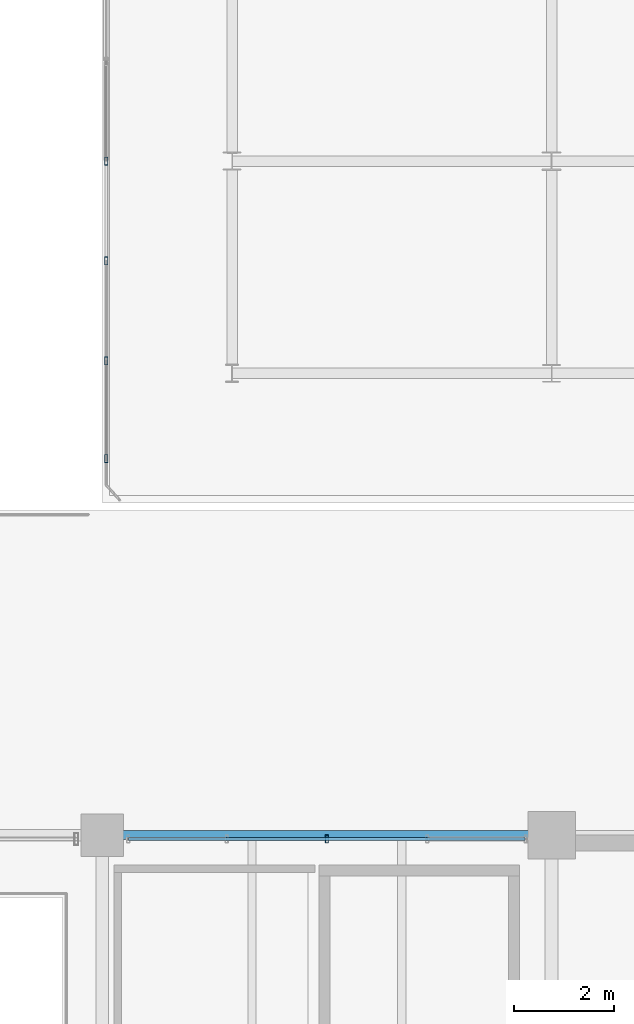
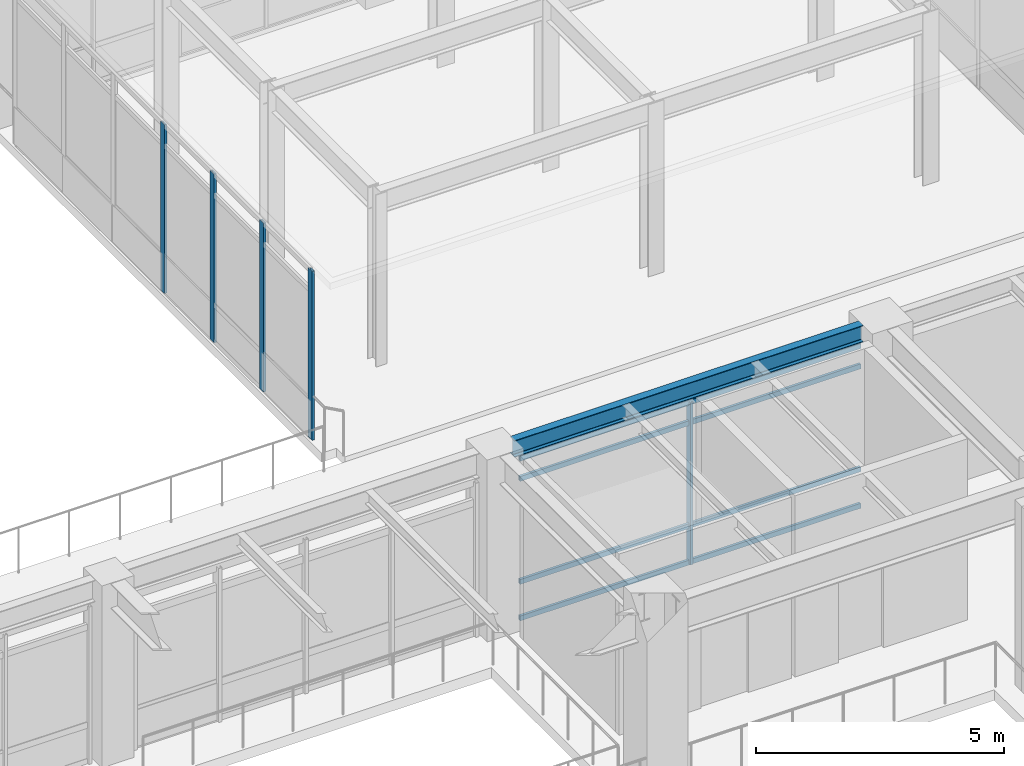
# One storey, part 82 of 200: 9 members, 1 beam, 2 elements without a shape of their own.
"""IFC4 building model written with IfcOpenShell, lengths in metres."""

import ifcopenshell
import ifcopenshell.guid

model = None  # the IFC model being written
_history = None  # IfcOwnerHistory: only IFC2X3 demands one
_inside = {}  # id of a spatial element -> (the spatial element, [elements in it])
_under = {}  # id of a project, library or spatial element -> (it, [spatial elements below it])
_declared = {}  # id of a project -> (the project, [libraries it declares])
_typed = {}  # id of a type object -> (the type object, [elements of that type])
_made_of = {}  # id of a material, layer set ... -> (it, [elements and type objects made of it])


def new_model(schema):
    """Start an empty IFC model of exactly this schema.

    Asked for "IFC4X3", IfcOpenShell would pick the latest addendum, in which some entities
    have other attributes; the version numbers below select the first issue.
    IFC2X3 requires an IfcOwnerHistory on every rooted entity: one is made here for all.
    """
    global model, _history
    if schema == "IFC4X3":
        model = ifcopenshell.file(schema_version=(4, 3, 0, 0))
    else:
        model = ifcopenshell.file(schema=schema)
    _inside.clear()
    _under.clear()
    _declared.clear()
    _typed.clear()
    _made_of.clear()
    _history = None
    if model.schema == "IFC2X3":
        org = make("IfcOrganization", Name="unknown")
        user = make(
            "IfcPersonAndOrganization",
            ThePerson=make("IfcPerson", FamilyName="unknown"),
            TheOrganization=org,
        )
        app = make(
            "IfcApplication",
            ApplicationDeveloper=org,
            Version="unknown",
            ApplicationFullName="unknown",
            ApplicationIdentifier="unknown",
        )
        _history = make(
            "IfcOwnerHistory",
            OwningUser=user,
            OwningApplication=app,
            ChangeAction="ADDED",
            CreationDate=0,
        )
    return model


def make(cls, **values):
    """One entity of the class cls with the attributes given. An attribute that is None is left unset."""
    return model.create_entity(
        cls, **{name: value for name, value in values.items() if value is not None}
    )


def rooted(cls, **values):
    """An entity with a GlobalId (a new one), such as an element, a storey or a relation."""
    return make(cls, GlobalId=ifcopenshell.guid.new(), OwnerHistory=_history, **values)


def si_unit(unit_type, name, prefix=None):
    """IfcSIUnit, for example si_unit("LENGTHUNIT", "METRE", prefix="MILLI")."""
    return make("IfcSIUnit", UnitType=unit_type, Prefix=prefix, Name=name)


def assignment(units):
    """IfcUnitAssignment: the units of a project."""
    return None if units is None else make("IfcUnitAssignment", Units=units)


def point(xyz):
    """IfcCartesianPoint."""
    return None if xyz is None else make("IfcCartesianPoint", Coordinates=xyz)


def direction(xyz):
    """IfcDirection."""
    return None if xyz is None else make("IfcDirection", DirectionRatios=xyz)


def frame(location, z_axis=None, x_axis=None):
    """IfcAxis2Placement3D, a coordinate frame: its origin and axes. An axis left out is left unset."""
    return make(
        "IfcAxis2Placement3D",
        Location=point(location),
        Axis=direction(z_axis),
        RefDirection=direction(x_axis),
    )


def frame_2d(location, x_axis=None):
    """IfcAxis2Placement2D, a coordinate frame in the plane: its origin and x axis."""
    return make(
        "IfcAxis2Placement2D", Location=point(location), RefDirection=direction(x_axis)
    )


def origin():
    """The frame at (0, 0, 0) with its axes left unset."""
    return frame((0.0, 0.0, 0.0))


def origin_2d():
    """The frame at (0, 0) in the plane with its x axis left unset."""
    return frame_2d((0.0, 0.0))


def place(relative_to, where):
    """IfcLocalPlacement: puts the frame where relative to a parent placement (None: the world)."""
    return make(
        "IfcLocalPlacement", PlacementRelTo=relative_to, RelativePlacement=where
    )


def context(
    kind, dimensions, precision=None, world=None, true_north=None, identifier=None
):
    """IfcGeometricRepresentationContext, for example the 3D "Model" context."""
    return make(
        "IfcGeometricRepresentationContext",
        ContextIdentifier=identifier,
        ContextType=kind,
        CoordinateSpaceDimension=dimensions,
        Precision=precision,
        WorldCoordinateSystem=world,
        TrueNorth=true_north,
    )


def subcontext(parent, identifier, kind, view, scale=None):
    """IfcGeometricRepresentationSubContext, for example "Body" below "Model"."""
    return make(
        "IfcGeometricRepresentationSubContext",
        ContextIdentifier=identifier,
        ContextType=kind,
        ParentContext=parent,
        TargetScale=scale,
        TargetView=view,
    )


def project(units=None, contexts=None):
    """IfcProject with its units and contexts."""
    return rooted(
        "IfcProject",
        Name="project",
        RepresentationContexts=contexts,
        UnitsInContext=assignment(units),
    )


def spatial(cls, under=None, at=None, **own):
    """A site, building, storey or space (cls), placed at a placement, below another one or the project."""
    s = rooted(cls, ObjectPlacement=at, **own)
    if under is not None:
        _under.setdefault(under.id(), (under, []))[1].append(s)
    return s


def profile(cls, at=None, kind="AREA", **sizes):
    """A parametric profile (cls). Its sizes go by their IFC names, for example OverallWidth=200.0."""
    return make(cls, ProfileType=kind, Position=at, **sizes)


def hollow_rectangle(**sizes):
    """IfcRectangleHollowProfileDef."""
    return profile("IfcRectangleHollowProfileDef", **sizes)


def i_section(**sizes):
    """IfcIShapeProfileDef."""
    return profile("IfcIShapeProfileDef", **sizes)


def extrude(swept, where, along, depth):
    """IfcExtrudedAreaSolid: the profile swept, set in the frame where, extruded along a direction by depth."""
    return make(
        "IfcExtrudedAreaSolid",
        SweptArea=swept,
        Position=where,
        ExtrudedDirection=direction(along),
        Depth=depth,
    )


def shape(context_of_items, identifier, shape_type, items):
    """IfcShapeRepresentation: the items that make up one representation, for example the "Body"."""
    return make(
        "IfcShapeRepresentation",
        ContextOfItems=context_of_items,
        RepresentationIdentifier=identifier,
        RepresentationType=shape_type,
        Items=items,
    )


def material(Name=None, Category=None):
    """IfcMaterial."""
    return make("IfcMaterial", Name=Name, Category=Category)


def material_profile(
    of_material, cross_section, Name=None, Category=None, Priority=None
):
    """IfcMaterialProfile: a cross section and its material."""
    return make(
        "IfcMaterialProfile",
        Name=Name,
        Material=of_material,
        Profile=cross_section,
        Priority=Priority,
        Category=Category,
    )


def profile_set(profiles, Name=None, composite=None):
    """IfcMaterialProfileSet."""
    return make(
        "IfcMaterialProfileSet",
        Name=Name,
        MaterialProfiles=profiles,
        CompositeProfile=composite,
    )


def made_of(thing, what):
    """Note that an element or type object is made of a material, layer set ...; save() writes the relation."""
    if what is not None:
        _made_of.setdefault(what.id(), (what, []))[1].append(thing)
    return thing


def type_object(cls, material=None, **own):
    """A type object (cls), such as IfcWallType, which elements share."""
    return made_of(rooted(cls, **own), material)


def element(
    cls,
    number,
    at=None,
    inside=None,
    cuts=None,
    type_object=None,
    material=None,
    context=None,
    identifier="Body",
    shape_type=None,
    held_by="IfcProductDefinitionShape",
    body=None,
    shapes=None,
    **own,
):
    """One element of the class cls, such as IfcWall. Its Tag is "e" and its number.

    at: its placement. inside: the storey or other place that contains it. cuts: it is an
    opening in that element (IfcRelVoidsElement). A single representation is given by context,
    identifier, shape_type and body (its items); several are given by shapes. held_by: the class
    of the entity that holds the representations. save() writes the other relations.
    """
    e = rooted(cls, Tag="e%d" % number, ObjectPlacement=at, **own)
    if body is not None:
        shapes = [shape(context, identifier, shape_type, body)]
    if shapes is not None:
        e.Representation = make(held_by, Representations=shapes)
    if inside is not None:
        _inside.setdefault(inside.id(), (inside, []))[1].append(e)
    if cuts is not None:
        rooted(
            "IfcRelVoidsElement", RelatingBuildingElement=cuts, RelatedOpeningElement=e
        )
    if type_object is not None:
        _typed.setdefault(type_object.id(), (type_object, []))[1].append(e)
    return made_of(e, material)


def aggregate(whole, parts):
    """IfcRelAggregates: a whole, such as a stair, and the parts it consists of."""
    return rooted("IfcRelAggregates", RelatingObject=whole, RelatedObjects=parts)


def save(model, path):
    """Write the relations noted so far, then the file.

    IfcRelAggregates (storeys below a building ...), IfcRelContainedInSpatialStructure (elements
    in a storey), IfcRelDefinesByType, IfcRelAssociatesMaterial and IfcRelDeclares: one each for
    every whole, place, type object, material and project.
    """
    for whole, parts in _under.values():
        aggregate(whole, parts)
    for where, things in _inside.values():
        rooted(
            "IfcRelContainedInSpatialStructure",
            RelatedElements=things,
            RelatingStructure=where,
        )
    for kind, things in _typed.values():
        rooted("IfcRelDefinesByType", RelatedObjects=things, RelatingType=kind)
    for what, things in _made_of.values():
        rooted("IfcRelAssociatesMaterial", RelatedObjects=things, RelatingMaterial=what)
    for by, libraries in _declared.values():
        rooted("IfcRelDeclares", RelatingContext=by, RelatedDefinitions=libraries)
    model.write(path)


model = new_model("IFC4")

# Units and contexts
model_context = context("Model", 3, precision=1e-05, world=origin(), true_north=direction((0.0, 1.0)))
body_context = subcontext(model_context, "Body", "Model", "MODEL_VIEW")
ifc_project = project(units=[si_unit("LENGTHUNIT", "METRE"), si_unit("AREAUNIT", "SQUARE_METRE"), si_unit("VOLUMEUNIT", "CUBIC_METRE"), si_unit("PLANEANGLEUNIT", "RADIAN"), si_unit("MASSUNIT", "GRAM", prefix="KILO"), si_unit("THERMODYNAMICTEMPERATUREUNIT", "KELVIN"), si_unit("POWERUNIT", "WATT")], contexts=[model_context])

# Site, building, storey
site_placement = place(None, origin())
site = spatial("IfcSite", under=ifc_project, at=site_placement, CompositionType="ELEMENT")
building_placement = place(site_placement, origin())
building = spatial("IfcBuilding", under=site, at=building_placement, Name="Tepalcoro Natatorium and Aquatics Centre", CompositionType="ELEMENT")
storey_placement = place(building_placement, frame((0.0, 0.0, 5.39990234375)))
storey = spatial("IfcBuildingStorey", under=building, at=storey_placement, Name="L01", CompositionType="ELEMENT", Elevation=5.39990234375)

# Curtain wall, member
ifc_material_1 = material(Name="Bronze-Anodised Extruded Aluminium Alloy EN AW-6063 T6", Category="aluminium")
curtain_wall_type_1 = type_object("IfcCurtainWallType", Name="CW_V4_VILLAGE", PredefinedType="USERDEFINED", material=ifc_material_1)
curtain_wall_1_placement = place(storey_placement, origin())
curtain_wall_1 = element("IfcCurtainWall", 1, at=curtain_wall_1_placement, inside=storey, type_object=curtain_wall_type_1, Name="V1 L01 N Unitised Curtain Wall Bay 8", ObjectType="UNITISED STOREFRONT", PredefinedType="USERDEFINED")
ifc_material_profile_1 = material_profile(ifc_material_1, hollow_rectangle(XDim=0.06005859375, YDim=0.159912109375, WallThickness=0.00390625, at=origin_2d()), Name="AL60X160X4")
ifc_profile_set_1 = profile_set([ifc_material_profile_1], Name="Bronze-Anodised Extruded Aluminium Alloy EN AW-6063 T6")
member_type_1 = type_object("IfcMemberType", Name="CW_MUL_60x160", PredefinedType="MULLION", material=ifc_profile_set_1)
member_1_placement = place(storey_placement, frame((111.5, 65.423828125, 0.02001953125), z_axis=(0.0, 0.0, 1.0), x_axis=(1.0, 0.0, 0.0)))
member_1 = element("IfcMember", 2, at=member_1_placement, type_object=member_type_1, Name="CW_V4_VILLAGE Curtain Wall Mullion", PredefinedType="MULLION", context=body_context, shape_type="SweptSolid", body=[
    extrude(hollow_rectangle(XDim=0.06005859375, YDim=0.159912109375, WallThickness=0.00390625, at=origin_2d()), origin(), (0.0, 0.0, 1.0), 3.9970703125),
])

# Curtain wall, members
curtain_wall_type_2 = type_object("IfcCurtainWallType", Name="CW_LINK_150", PredefinedType="USERDEFINED", material=ifc_material_1)
curtain_wall_2_placement = place(storey_placement, origin())
curtain_wall_2 = element("IfcCurtainWall", 3, at=curtain_wall_2_placement, inside=storey, type_object=curtain_wall_type_2, Name="East Court Wellness Arcade Glazed Wall W L01", ObjectType="UNITISED STOREFRONT", PredefinedType="USERDEFINED")
member_2_placement = place(storey_placement, frame((107.080078125, 73.0400390625, 0.02001953125), z_axis=(0.0, 0.0, 1.0), x_axis=(1.0, 0.0, 0.0)))
member_2 = element("IfcMember", 4, at=member_2_placement, type_object=member_type_1, Name="CW_LINK_150 Curtain Wall Mullion", PredefinedType="MULLION", context=body_context, shape_type="SweptSolid", body=[
    extrude(hollow_rectangle(XDim=0.06005859375, YDim=0.159912109375, WallThickness=0.00390625, at=origin_2d()), origin(), (0.0, 0.0, 1.0), 4.16015625),
])
member_3_placement = place(storey_placement, frame((107.080078125, 75.0, 0.02001953125), z_axis=(0.0, 0.0, 1.0), x_axis=(1.0, 0.0, 0.0)))
member_3 = element("IfcMember", 5, at=member_3_placement, type_object=member_type_1, Name="CW_LINK_150 Curtain Wall Mullion", PredefinedType="MULLION", context=body_context, shape_type="SweptSolid", body=[
    extrude(hollow_rectangle(XDim=0.06005859375, YDim=0.159912109375, WallThickness=0.00390625, at=origin_2d()), origin(), (0.0, 0.0, 1.0), 4.16015625),
])
member_4_placement = place(storey_placement, frame((107.080078125, 77.0, 0.02001953125), z_axis=(0.0, 0.0, 1.0), x_axis=(1.0, 0.0, 0.0)))
member_4 = element("IfcMember", 6, at=member_4_placement, type_object=member_type_1, Name="CW_LINK_150 Curtain Wall Mullion", PredefinedType="MULLION", context=body_context, shape_type="SweptSolid", body=[
    extrude(hollow_rectangle(XDim=0.06005859375, YDim=0.159912109375, WallThickness=0.00390625, at=origin_2d()), origin(), (0.0, 0.0, 1.0), 4.16015625),
])
member_5_placement = place(storey_placement, frame((107.080078125, 79.0, 0.02001953125), z_axis=(0.0, 0.0, 1.0), x_axis=(1.0, 0.0, 0.0)))
member_5 = element("IfcMember", 7, at=member_5_placement, type_object=member_type_1, Name="CW_LINK_150 Curtain Wall Mullion", PredefinedType="MULLION", context=body_context, shape_type="SweptSolid", body=[
    extrude(hollow_rectangle(XDim=0.06005859375, YDim=0.159912109375, WallThickness=0.00390625, at=origin_2d()), origin(), (0.0, 0.0, 1.0), 4.16015625),
])
aggregate(curtain_wall_2, [member_2, member_3, member_4, member_5])

# Member
ifc_material_profile_2 = material_profile(ifc_material_1, hollow_rectangle(XDim=0.06005859375, YDim=0.1201171875, WallThickness=0.00390625, at=origin_2d()), Name="AL60X120X4")
ifc_profile_set_2 = profile_set([ifc_material_profile_2], Name="Bronze-Anodised Extruded Aluminium Alloy EN AW-6063 T6")
member_type_2 = type_object("IfcMemberType", Name="CW_TRN_60x120", PredefinedType="USERDEFINED", material=ifc_profile_set_2)
member_6_placement = place(storey_placement, frame((107.530029296875, 65.423828125, 0.050048828125), z_axis=(1.0, 0.0, 0.0), x_axis=(0.0, 1.0, 0.0)))
member_6 = element("IfcMember", 8, at=member_6_placement, type_object=member_type_2, Name="CW_V4_VILLAGE Curtain Wall Transom", ObjectType="TRANSOM", PredefinedType="USERDEFINED", context=body_context, shape_type="SweptSolid", body=[
    extrude(hollow_rectangle(XDim=0.06005859375, YDim=0.1201171875, WallThickness=0.00390625, at=origin_2d()), origin(), (0.0, 0.0, 1.0), 7.93994140625),
])

member_7_placement = place(storey_placement, frame((107.530029296875, 65.423828125, 0.9501953125), z_axis=(1.0, 0.0, 0.0), x_axis=(0.0, 1.0, 0.0)))
member_7 = element("IfcMember", 9, at=member_7_placement, type_object=member_type_2, Name="CW_V4_VILLAGE Curtain Wall Transom", ObjectType="TRANSOM", PredefinedType="USERDEFINED", context=body_context, shape_type="SweptSolid", body=[
    extrude(hollow_rectangle(XDim=0.06005859375, YDim=0.1201171875, WallThickness=0.00390625, at=origin_2d()), origin(), (0.0, 0.0, 1.0), 7.93994140625),
])

member_8_placement = place(storey_placement, frame((107.530029296875, 65.423828125, 3.487060546875), z_axis=(1.0, 0.0, 0.0), x_axis=(0.0, 1.0, 0.0)))
member_8 = element("IfcMember", 10, at=member_8_placement, type_object=member_type_2, Name="CW_V4_VILLAGE Curtain Wall Transom", ObjectType="TRANSOM", PredefinedType="USERDEFINED", context=body_context, shape_type="SweptSolid", body=[
    extrude(hollow_rectangle(XDim=0.06005859375, YDim=0.1201171875, WallThickness=0.00390625, at=origin_2d()), origin(), (0.0, 0.0, 1.0), 7.93994140625),
])

member_9_placement = place(storey_placement, frame((107.530029296875, 65.423828125, 3.987060546875), z_axis=(1.0, 0.0, 0.0), x_axis=(0.0, 1.0, 0.0)))
member_9 = element("IfcMember", 11, at=member_9_placement, type_object=member_type_2, Name="CW_V4_VILLAGE Curtain Wall Transom", ObjectType="TRANSOM", PredefinedType="USERDEFINED", context=body_context, shape_type="SweptSolid", body=[
    extrude(hollow_rectangle(XDim=0.06005859375, YDim=0.1201171875, WallThickness=0.00390625, at=origin_2d()), origin(), (0.0, 0.0, 1.0), 7.93994140625),
])

aggregate(curtain_wall_1, [member_1, member_6, member_7, member_8, member_9])

# Beam
ifc_material_2 = material(Name="Steel ASTM A992 Grade 50 (Fy 345 MPa)", Category="steel")
ifc_material_profile_3 = material_profile(ifc_material_2, i_section(OverallWidth=0.179931640625, OverallDepth=0.4130859375, WebThickness=0.010009765625, FlangeThickness=0.01611328125, FilletRadius=0.013916015625, at=origin_2d()), Name="W16X50")
ifc_profile_set_3 = profile_set([ifc_material_profile_3], Name="Steel ASTM A992 Grade 50 (Fy 345 MPa)")
beam_type = type_object("IfcBeamType", Name="SP_HSS300x200x12", PredefinedType="SPANDREL", material=ifc_profile_set_3)
beam_placement = place(storey_placement, frame((107.409912109375, 65.5, 4.258544921875), z_axis=(1.0, 0.0, 0.0), x_axis=(0.0, 1.0, 0.0)))
element("IfcBeam", 12, at=beam_placement, inside=storey, type_object=beam_type, Name="V1 L01 Grid Girder X", PredefinedType="SPANDREL", context=body_context, shape_type="SweptSolid", body=[
    extrude(i_section(OverallWidth=0.179931640625, OverallDepth=0.4130859375, WebThickness=0.010009765625, FlangeThickness=0.01611328125, FilletRadius=0.013916015625, at=origin_2d()), origin(), (0.0, 0.0, 1.0), 8.130126953125),
])

save(model, "model.ifc")
